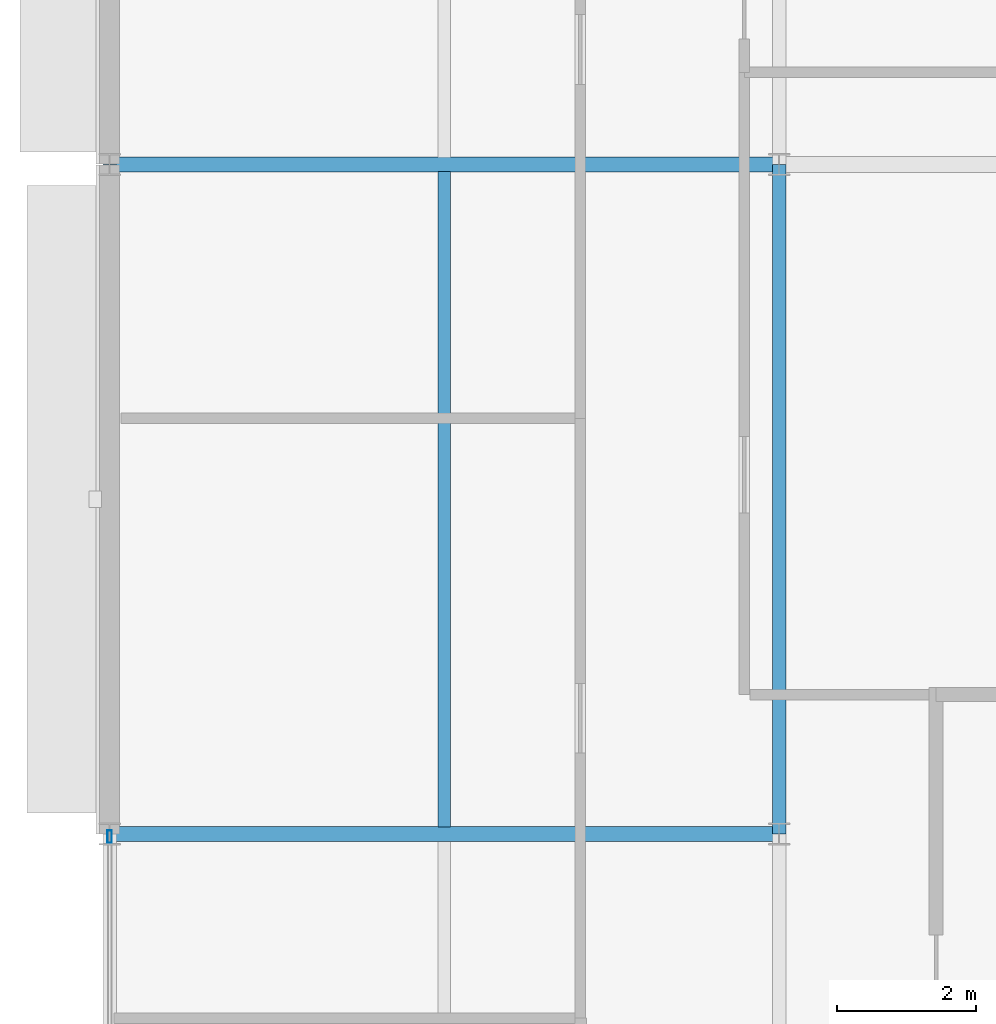
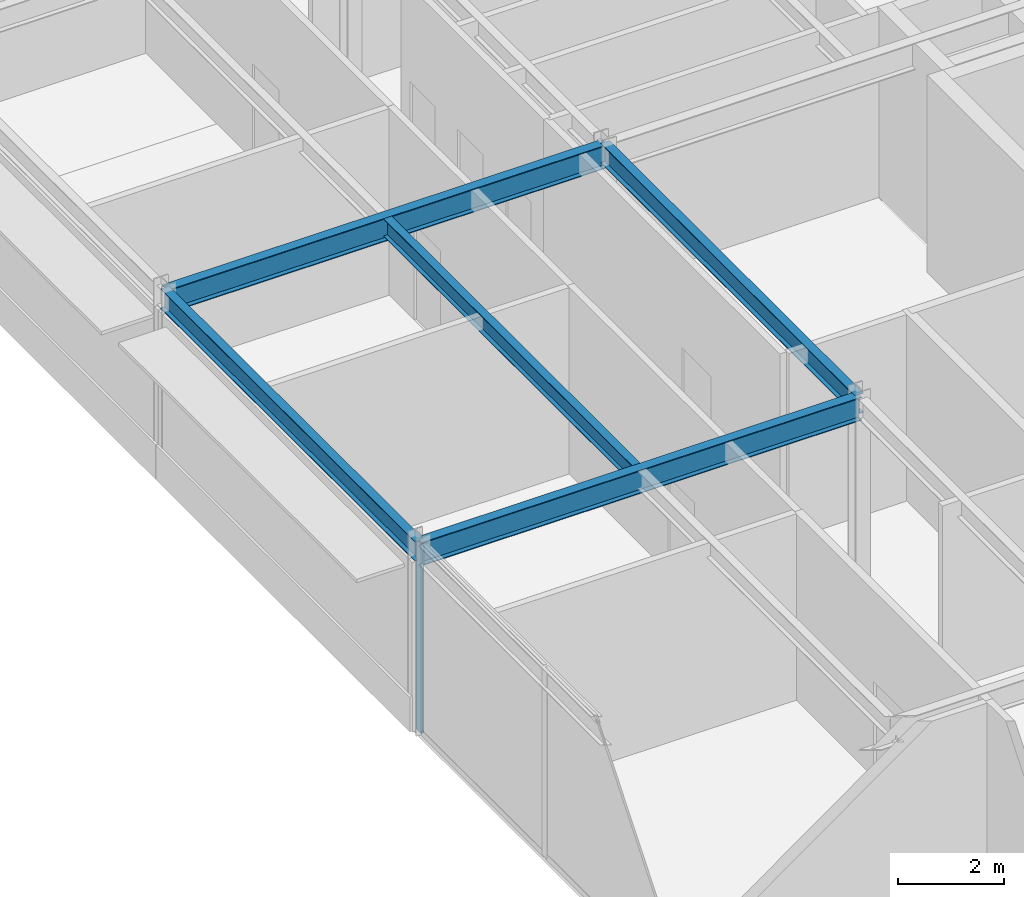
# One storey, part 6 of 18: 5 beams, 1 member, 1 element without a shape of its own.
"""IFC4 building model written with IfcOpenShell, lengths in metres."""

from ifc_helpers import new_model, si_unit, direction, frame, origin, origin_2d, place, context, subcontext, project, spatial, hollow_rectangle, i_section, extrude, material, material_profile, profile_set, type_object, element, aggregate, save


model = new_model("IFC4")

# Units and contexts
model_context = context("Model", 3, precision=1e-05, world=origin(), true_north=direction((0.0, 1.0)))
body_context = subcontext(model_context, "Body", "Model", "MODEL_VIEW")
ifc_project = project(units=[si_unit("LENGTHUNIT", "METRE"), si_unit("AREAUNIT", "SQUARE_METRE"), si_unit("VOLUMEUNIT", "CUBIC_METRE"), si_unit("PLANEANGLEUNIT", "RADIAN"), si_unit("MASSUNIT", "GRAM", prefix="KILO")], contexts=[model_context])

# Site, building, storey
site_placement = place(None, origin())
site = spatial("IfcSite", under=ifc_project, at=site_placement, CompositionType="ELEMENT")
building_placement = place(site_placement, origin())
building = spatial("IfcBuilding", under=site, at=building_placement, Name="Almandine Court Research Institute", CompositionType="ELEMENT")
storey_placement = place(building_placement, frame((0.0, 0.0, 37.10009765625)))
storey = spatial("IfcBuildingStorey", under=building, at=storey_placement, Name="L08", CompositionType="ELEMENT", Elevation=37.10009765625)

# Beams
ifc_material_1 = material(Name="Steel ASTM A992 Grade 50", Category="steel")
ifc_material_profile_1 = material_profile(ifc_material_1, i_section(OverallWidth=0.18994140625, OverallDepth=0.45703125, WebThickness=0.009033203125, FlangeThickness=0.014892578125, at=origin_2d()), Name="W460x74")
ifc_profile_set_1 = profile_set([ifc_material_profile_1], Name="Steel ASTM A992 Grade 50")
beam_type_1 = type_object("IfcBeamType", Name="Beam-B-01", PredefinedType="BEAM", material=ifc_profile_set_1)
for number, where, z_axis, x_axis, name in (
    (1, (153.60009765625, 25.199951171875, 4.156982421875), (0.0, 1.0, 0.0), (-1.0, 0.0, 0.0), "L08 V4 Primary Y Girder"),
    (2, (163.199951171875, 25.199951171875, 4.156982421875), (0.0, 1.0, 0.0), (-1.0, 0.0, 0.0), "L08 V4 Primary Y Girder"),
):
    element("IfcBeam", number, at=place(storey_placement, frame(where, z_axis=z_axis, x_axis=x_axis)), inside=storey, type_object=beam_type_1, Name=name, PredefinedType="BEAM", context=body_context, shape_type="SweptSolid", body=[
        extrude(i_section(OverallWidth=0.18994140625, OverallDepth=0.45703125, WebThickness=0.009033203125, FlangeThickness=0.014892578125, at=origin_2d()), origin(), (0.0, 0.0, 1.0), 9.60009765625),
    ])
ifc_material_profile_2 = material_profile(ifc_material_1, i_section(OverallWidth=0.178955078125, OverallDepth=0.409912109375, WebThickness=0.009033203125, FlangeThickness=0.013916015625, at=origin_2d()), Name="W410x67")
ifc_profile_set_2 = profile_set([ifc_material_profile_2], Name="Steel ASTM A992 Grade 50")
beam_type_2 = type_object("IfcBeamType", Name="Beam-B-02", PredefinedType="JOIST", material=ifc_profile_set_2)
beam_placement = place(storey_placement, frame((158.39990234375, 25.302978515625, 4.179931640625), z_axis=(0.0, 1.0, 0.0), x_axis=(-1.0, 0.0, 0.0)))
element("IfcBeam", 3, at=beam_placement, inside=storey, type_object=beam_type_2, Name="L08 V4 Composite Secondary Beam", PredefinedType="JOIST", context=body_context, shape_type="SweptSolid", body=[
    extrude(i_section(OverallWidth=0.178955078125, OverallDepth=0.409912109375, WebThickness=0.009033203125, FlangeThickness=0.013916015625, at=origin_2d()), origin(), (0.0, 0.0, 1.0), 9.39404296875),
])
ifc_material_profile_3 = material_profile(ifc_material_1, i_section(OverallWidth=0.2109375, OverallDepth=0.5390625, WebThickness=0.011962890625, FlangeThickness=0.01904296875, at=origin_2d()), Name="W530x109")
ifc_profile_set_3 = profile_set([ifc_material_profile_3], Name="Steel ASTM A992 Grade 50")
beam_type_3 = type_object("IfcBeamType", Name="Beam-G-04", PredefinedType="BEAM", material=ifc_profile_set_3)
for number, where, z_axis, x_axis, name in (
    (4, (153.60009765625, 25.199951171875, 4.114990234375), (1.0, 0.0, 0.0), (0.0, 1.0, 0.0), "L08 V4 Primary X Girder"),
    (5, (153.60009765625, 34.800048828125, 4.114990234375), (1.0, 0.0, 0.0), (0.0, 1.0, 0.0), "L08 V4 Primary X Girder"),
):
    element("IfcBeam", number, at=place(storey_placement, frame(where, z_axis=z_axis, x_axis=x_axis)), inside=storey, type_object=beam_type_3, Name=name, PredefinedType="BEAM", context=body_context, shape_type="SweptSolid", body=[
        extrude(i_section(OverallWidth=0.2109375, OverallDepth=0.5390625, WebThickness=0.011962890625, FlangeThickness=0.01904296875, at=origin_2d()), origin(), (0.0, 0.0, 1.0), 9.599853515625),
    ])

# Curtain wall, member
ifc_material_2 = material(Name="Unitised Curtain Wall Framing and Solar Glazing", Category="glass")
curtain_wall_type = type_object("IfcCurtainWallType", Name="CW-CWJ-02", PredefinedType="USERDEFINED", material=ifc_material_2)
curtain_wall_placement = place(storey_placement, origin())
curtain_wall = element("IfcCurtainWall", 6, at=curtain_wall_placement, inside=storey, type_object=curtain_wall_type, Name="L08 Wet Lab West Courtyard Jali Curtain Wall 2", ObjectType="SOLAR JALI SCREEN", PredefinedType="USERDEFINED")
ifc_material_3 = material(Name="Anodised Aluminium AW-6063-T6", Category="aluminium")
ifc_material_profile_4 = material_profile(ifc_material_3, hollow_rectangle(XDim=0.06494140625, YDim=0.179931640625, WallThickness=0.00390625, at=origin_2d()), Name="ALU RHS 65x180x4")
ifc_profile_set_4 = profile_set([ifc_material_profile_4], Name="Anodised Aluminium AW-6063-T6")
member_type = type_object("IfcMemberType", Name="CWMul-65x180", PredefinedType="MULLION", material=ifc_profile_set_4)
member_placement = place(storey_placement, frame((153.60009765625, 25.16357421875, 0.0), z_axis=(0.0, 0.0, 1.0), x_axis=(-1.0, 0.0, 0.0)))
member = element("IfcMember", 7, at=member_placement, type_object=member_type, Name="CWJ-02 mullion 3", PredefinedType="MULLION", context=body_context, shape_type="SweptSolid", body=[
    extrude(hollow_rectangle(XDim=0.06494140625, YDim=0.179931640625, WallThickness=0.00390625, at=origin_2d()), origin(), (0.0, 0.0, 1.0), 4.369873046875),
])
aggregate(curtain_wall, [member])

save(model, "model.ifc")
